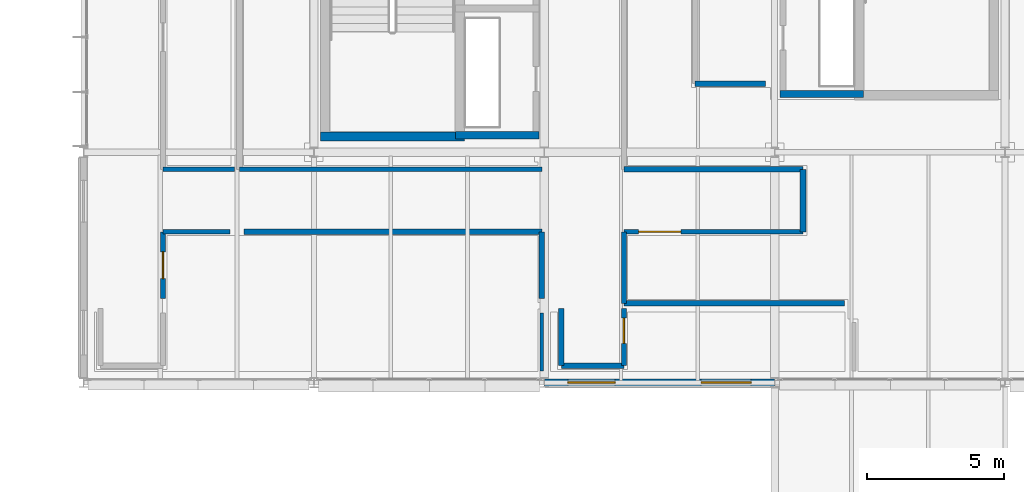
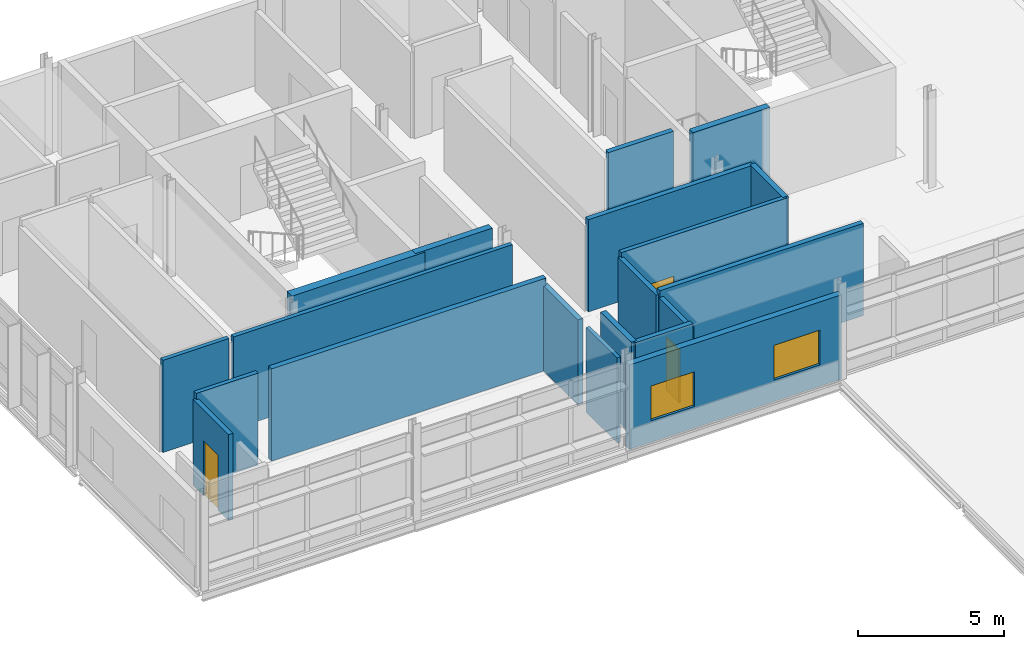
# One storey, part 46 of 57: 20 walls, 3 doors, 2 windows, 5 openings.
"""IFC4 building model written with IfcOpenShell, lengths in metres."""

from ifc_helpers import new_model, si_unit, direction, frame, frame_2d, origin, place, context, subcontext, project, spatial, rectangle, extrude, material, layer, layer_set, type_object, element, fill, save


model = new_model("IFC4")

# Units and contexts
model_context = context("Model", 3, precision=1e-05, world=origin(), true_north=direction((0.0, 1.0)))
body_context = subcontext(model_context, "Body", "Model", "MODEL_VIEW")
ifc_project = project(units=[si_unit("LENGTHUNIT", "METRE"), si_unit("AREAUNIT", "SQUARE_METRE"), si_unit("VOLUMEUNIT", "CUBIC_METRE"), si_unit("PLANEANGLEUNIT", "RADIAN"), si_unit("MASSUNIT", "GRAM", prefix="KILO")], contexts=[model_context])

# Site, building, storey
site_placement = place(None, origin())
site = spatial("IfcSite", under=ifc_project, at=site_placement, CompositionType="ELEMENT")
building_placement = place(site_placement, origin())
building = spatial("IfcBuilding", under=site, at=building_placement, Name="Mersafa Astral City Hall", CompositionType="ELEMENT")
storey_placement = place(building_placement, frame((0.0, 0.0, 26.10009765625)))
storey = spatial("IfcBuildingStorey", under=building, at=storey_placement, Name="L06", CompositionType="ELEMENT", Elevation=26.10009765625)

# Wall, openings, windows
ifc_material_1 = material(Name="Precast concrete C40/50 insulated terracotta spandrel", Category="masonry")
ifc_layer_1 = layer(ifc_material_1, 0.25, Name="Precast concrete C40/50 insulated terracotta spandrel")
ifc_layer_set_1 = layer_set([ifc_layer_1], Name="Precast concrete C40/50 insulated terracotta spandrel — ENV-WAL-EXT-250")
wall_type_1 = type_object("IfcWallType", Name="ENV-WAL-EXT-250", PredefinedType="STANDARD", material=ifc_layer_set_1)
wall_1_placement = place(storey_placement, frame((159.60791015625, 100.800048828125, 0.0), z_axis=(0.0, 0.0, 1.0), x_axis=(1.0, 0.0, 0.0)))
wall_1 = element("IfcWall", 1, at=wall_1_placement, inside=storey, type_object=wall_type_1, Name="L06 Limestone-clad exterior wall 364", PredefinedType="STANDARD", context=body_context, shape_type="SweptSolid", body=[
    extrude(rectangle(XDim=8.384033203125, YDim=0.25, at=frame_2d((4.19189453125, 0.0))), origin(), (0.0, 0.0, 1.0), 3.52685546875),
])
opening_1_placement = place(wall_1_placement, frame((0.85009765625, 0.0, 0.89990234375)))
opening_1 = element("IfcOpeningElement", 2, at=opening_1_placement, cuts=wall_1, Name="Opening W-28", PredefinedType="OPENING", context=body_context, shape_type="SweptSolid", body=[
    extrude(rectangle(XDim=1.719970703125, YDim=1.449951171875, at=frame_2d((0.85986328125, 0.72509765625))), frame((0.0, 0.135009765625, 0.0), z_axis=(0.0, -1.0, 0.0), x_axis=(1.0, 0.0, 0.0)), (0.0, 0.0, 1.0), 0.27001953125),
])
opening_2_placement = place(wall_1_placement, frame((5.714111328125, 0.0, 0.89990234375)))
opening_2 = element("IfcOpeningElement", 3, at=opening_2_placement, cuts=wall_1, Name="Opening W-29", PredefinedType="OPENING", context=body_context, shape_type="SweptSolid", body=[
    extrude(rectangle(XDim=1.820068359375, YDim=1.449951171875, at=frame_2d((0.91015625, 0.72509765625))), frame((0.0, 0.135009765625, 0.0), z_axis=(0.0, -1.0, 0.0), x_axis=(1.0, 0.0, 0.0)), (0.0, 0.0, 1.0), 0.27001953125),
])
ifc_material_2 = material(Name="Solar control low-e double glazing in bronze frame", Category="glass")
window_type_1 = type_object("IfcWindowType", Name="ENV-WIN-W-28", PartitioningType="SINGLE_PANEL", PredefinedType="WINDOW", material=ifc_material_2)
window_1_placement = place(opening_1_placement, origin())
window_1 = element("IfcWindow", 4, at=window_1_placement, inside=storey, type_object=window_type_1, Name="L06 Solar punched window 364-L", OverallHeight=1.449951171875, OverallWidth=1.719970703125, PartitioningType="SINGLE_PANEL", PredefinedType="WINDOW", context=body_context, shape_type="SweptSolid", body=[
    extrude(rectangle(XDim=1.719970703125, YDim=1.449951171875, at=frame_2d((0.85986328125, 0.72509765625))), frame((0.0, 0.030029296875, 0.0), z_axis=(0.0, -1.0, 0.0), x_axis=(1.0, 0.0, 0.0)), (0.0, 0.0, 1.0), 0.06005859375),
])
fill(opening_1, window_1)
window_type_2 = type_object("IfcWindowType", Name="ENV-WIN-W-29", PartitioningType="SINGLE_PANEL", PredefinedType="WINDOW", material=ifc_material_2)
window_2_placement = place(opening_2_placement, origin())
window_2 = element("IfcWindow", 5, at=window_2_placement, inside=storey, type_object=window_type_2, Name="L06 Solar punched window 364-R", OverallHeight=1.449951171875, OverallWidth=1.820068359375, PartitioningType="SINGLE_PANEL", PredefinedType="WINDOW", context=body_context, shape_type="SweptSolid", body=[
    extrude(rectangle(XDim=1.820068359375, YDim=1.449951171875, at=frame_2d((0.91015625, 0.72509765625))), frame((0.0, 0.030029296875, 0.0), z_axis=(0.0, -1.0, 0.0), x_axis=(1.0, 0.0, 0.0)), (0.0, 0.0, 1.0), 0.06005859375),
])
fill(opening_2, window_2)

# Walls
ifc_material_3 = material(Name="Concrete C40/50", Category="concrete")
ifc_layer_2 = layer(ifc_material_3, 0.260009765625, Name="Concrete C40/50")
ifc_layer_set_2 = layer_set([ifc_layer_2], Name="Concrete C40/50 — INT-WAL-CORE-260")
wall_type_2 = type_object("IfcWallType", Name="INT-WAL-CORE-260", PredefinedType="SHEAR", material=ifc_layer_set_2)
wall_2_placement = place(storey_placement, frame((156.364990234375, 109.820068359375, 0.0), z_axis=(0.0, 0.0, 1.0), x_axis=(1.0, 0.0, 0.0)))
element("IfcWall", 6, at=wall_2_placement, inside=storey, type_object=wall_type_2, Name="L06 Core K1 riser south wall", PredefinedType="SHEAR", context=body_context, shape_type="SweptSolid", body=[
    extrude(rectangle(XDim=3.034912109375, YDim=0.260009765625, at=frame_2d((1.517578125, 0.0))), origin(), (0.0, 0.0, 1.0), 3.849853515625),
])
wall_3_placement = place(storey_placement, frame((168.199951171875, 111.320068359375, 0.0), z_axis=(0.0, 0.0, 1.0), x_axis=(1.0, 0.0, 0.0)))
element("IfcWall", 7, at=wall_3_placement, inside=storey, type_object=wall_type_2, Name="L06 Core K2 riser south wall", PredefinedType="SHEAR", context=body_context, shape_type="SweptSolid", body=[
    extrude(rectangle(XDim=3.03515625, YDim=0.260009765625, at=frame_2d((1.517578125, 0.0))), origin(), (0.0, 0.0, 1.0), 3.849853515625),
])
ifc_layer_3 = layer(ifc_material_3, 0.340087890625, Name="Concrete C40/50")
ifc_layer_set_3 = layer_set([ifc_layer_3], Name="Concrete C40/50 — INT-WAL-CORE-340")
wall_type_3 = type_object("IfcWallType", Name="INT-WAL-CORE-340", PredefinedType="SHEAR", material=ifc_layer_set_3)
wall_4_placement = place(storey_placement, frame((151.43505859375, 109.77490234375, 0.0), z_axis=(0.0, 0.0, 1.0), x_axis=(1.0, 0.0, 0.0)))
element("IfcWall", 8, at=wall_4_placement, inside=storey, type_object=wall_type_3, Name="L06 Core K1 stair south shear wall", PredefinedType="SHEAR", context=body_context, shape_type="SweptSolid", body=[
    extrude(rectangle(XDim=5.25, YDim=0.340087890625, at=frame_2d((2.625, 0.0))), origin(), (0.0, 0.0, 1.0), 3.849853515625),
])
ifc_material_4 = material(Name="Acoustic steel-stud gypsum partition", Category="steel")
ifc_layer_4 = layer(ifc_material_4, 0.135009765625, Name="Acoustic steel-stud gypsum partition")
ifc_layer_set_4 = layer_set([ifc_layer_4], Name="Acoustic steel-stud gypsum partition — INT-WAL-PART-EI30-135")
wall_type_4 = type_object("IfcWallType", Name="INT-WAL-PART-EI30-135", PredefinedType="STANDARD", material=ifc_layer_set_4)
wall_5_placement = place(storey_placement, frame((159.510009765625, 103.340087890625, -0.004150390625), z_axis=(0.0, 0.0, 1.0), x_axis=(0.0, -1.0, 0.0)))
element("IfcWall", 9, at=wall_5_placement, inside=storey, type_object=wall_type_4, Name="L06 Interior partition wall 850", PredefinedType="STANDARD", context=body_context, shape_type="SweptSolid", body=[
    extrude(rectangle(XDim=2.1201171875, YDim=0.135009765625, at=frame_2d((1.06005859375, 0.0))), origin(), (0.0, 0.0, 1.0), 3.551025390625),
])

# Wall, opening, door
ifc_material_5 = material(Name="Fire-rated gypsum stud partition", Category="gypsum")
ifc_layer_5 = layer(ifc_material_5, 0.1650390625, Name="Fire-rated gypsum stud partition")
ifc_layer_set_5 = layer_set([ifc_layer_5], Name="Fire-rated gypsum stud partition — INT-WAL-PART-EI60-165")
wall_type_5 = type_object("IfcWallType", Name="INT-WAL-PART-EI60-165", PredefinedType="STANDARD", material=ifc_layer_set_5)
wall_6_placement = place(storey_placement, frame((162.5, 106.300048828125, -0.004150390625), z_axis=(0.0, 0.0, 1.0), x_axis=(1.0, 0.0, 0.0)))
wall_6 = element("IfcWall", 10, at=wall_6_placement, inside=storey, type_object=wall_type_5, Name="L06 Interior partition wall 807", PredefinedType="STANDARD", context=body_context, shape_type="SweptSolid", body=[
    extrude(rectangle(XDim=6.530029296875, YDim=0.1650390625, at=frame_2d((3.26513671875, 0.0))), origin(), (0.0, 0.0, 1.0), 3.85400390625),
])
opening_3_placement = place(wall_6_placement, frame((0.535888671875, 0.0, 0.0)))
opening_3 = element("IfcOpeningElement", 11, at=opening_3_placement, cuts=wall_6, Name="Opening D-17", PredefinedType="OPENING", context=body_context, shape_type="SweptSolid", body=[
    extrude(rectangle(XDim=1.5400390625, YDim=2.139892578125, at=frame_2d((0.77001953125, 1.06982421875))), frame((0.0, 0.092529296875, 0.0), z_axis=(0.0, -1.0, 0.0), x_axis=(1.0, 0.0, 0.0)), (0.0, 0.0, 1.0), 0.18505859375),
])
ifc_material_6 = material(Name="Cedar veneered acoustic fire-rated timber door", Category="wood")
door_type_1 = type_object("IfcDoorType", Name="INT-DR-RM-D-17", OperationType="NOTDEFINED", PredefinedType="DOOR", material=ifc_material_6)
door_1_placement = place(opening_3_placement, origin())
door_1 = element("IfcDoor", 12, at=door_1_placement, inside=storey, type_object=door_type_1, Name="L06 Ceremonial Conference Room L06-02 Entrance Door", OperationType="SINGLE_SWING_LEFT", OverallHeight=2.139892578125, OverallWidth=1.5400390625, PredefinedType="DOOR", context=body_context, shape_type="SweptSolid", body=[
    extrude(rectangle(XDim=1.5400390625, YDim=2.139892578125, at=frame_2d((0.77001953125, 1.06982421875))), frame((0.0, 0.02490234375, 0.0), z_axis=(0.0, -1.0, 0.0), x_axis=(1.0, 0.0, 0.0)), (0.0, 0.0, 1.0), 0.050048828125),
])
fill(opening_3, door_1)

# Walls
wall_7_placement = place(storey_placement, frame((159.510009765625, 108.580078125, -0.004150390625), z_axis=(0.0, 0.0, 1.0), x_axis=(-1.0, 0.0, 0.0)))
element("IfcWall", 13, at=wall_7_placement, inside=storey, type_object=wall_type_5, Name="L06 Interior partition wall 839", PredefinedType="STANDARD", context=body_context, shape_type="SweptSolid", body=[
    extrude(rectangle(XDim=11.02001953125, YDim=0.1650390625, at=frame_2d((5.510009765625, 0.0))), origin(), (0.0, 0.0, 1.0), 3.85400390625),
])
wall_8_placement = place(storey_placement, frame((145.699951171875, 106.300048828125, -0.004150390625), z_axis=(0.0, 0.0, 1.0), x_axis=(1.0, 0.0, 0.0)))
element("IfcWall", 14, at=wall_8_placement, inside=storey, type_object=wall_type_5, Name="L06 Interior partition wall 847", PredefinedType="STANDARD", context=body_context, shape_type="SweptSolid", body=[
    extrude(rectangle(XDim=2.43994140625, YDim=0.1650390625, at=frame_2d((1.219970703125, 0.0))), origin(), (0.0, 0.0, 1.0), 3.85400390625),
])
wall_9_placement = place(storey_placement, frame((148.31005859375, 108.580078125, -0.004150390625), z_axis=(0.0, 0.0, 1.0), x_axis=(-1.0, 0.0, 0.0)))
element("IfcWall", 15, at=wall_9_placement, inside=storey, type_object=wall_type_5, Name="L06 Interior partition wall 855", PredefinedType="STANDARD", context=body_context, shape_type="SweptSolid", body=[
    extrude(rectangle(XDim=2.610107421875, YDim=0.1650390625, at=frame_2d((1.30517578125, 0.0))), origin(), (0.0, 0.0, 1.0), 3.85400390625),
])
ifc_material_7 = material(Name="Acoustic twin-stud gypsum partition", Category="gypsum")
ifc_layer_6 = layer(ifc_material_7, 0.179931640625, Name="Acoustic twin-stud gypsum partition")
ifc_layer_set_6 = layer_set([ifc_layer_6], Name="Acoustic twin-stud gypsum partition — INT-WAL-PART-EI60-180")
wall_type_6 = type_object("IfcWallType", Name="INT-WAL-PART-EI60-180", PredefinedType="STANDARD", material=ifc_layer_set_6)
wall_10_placement = place(storey_placement, frame((162.5, 103.68994140625, -0.004150390625), z_axis=(0.0, 0.0, 1.0), x_axis=(0.0, 1.0, 0.0)))
element("IfcWall", 16, at=wall_10_placement, inside=storey, type_object=wall_type_6, Name="L06 Interior partition wall 806", PredefinedType="STANDARD", context=body_context, shape_type="SweptSolid", body=[
    extrude(rectangle(XDim=2.610107421875, YDim=0.179931640625, at=frame_2d((1.30517578125, 0.0))), origin(), (0.0, 0.0, 1.0), 3.64111328125),
])

# Wall, opening, door
wall_11_placement = place(storey_placement, frame((145.699951171875, 103.860107421875, -0.004150390625), z_axis=(0.0, 0.0, 1.0), x_axis=(0.0, 1.0, 0.0)))
wall_11 = element("IfcWall", 17, at=wall_11_placement, inside=storey, type_object=wall_type_6, Name="L06 Interior partition wall 846", PredefinedType="STANDARD", context=body_context, shape_type="SweptSolid", body=[
    extrude(rectangle(XDim=2.43994140625, YDim=0.179931640625, at=frame_2d((1.219970703125, 0.0))), origin(), (0.0, 0.0, 1.0), 3.591064453125),
])
opening_4_placement = place(wall_11_placement, frame((0.72998046875, 0.0, 0.0)))
opening_4 = element("IfcOpeningElement", 18, at=opening_4_placement, cuts=wall_11, Name="Opening D-29", PredefinedType="OPENING", context=body_context, shape_type="SweptSolid", body=[
    extrude(rectangle(XDim=0.97998046875, YDim=2.300048828125, at=frame_2d((0.489990234375, 1.14990234375))), frame((0.0, 0.099853515625, 0.0), z_axis=(0.0, -1.0, 0.0), x_axis=(1.0, 0.0, 0.0)), (0.0, 0.0, 1.0), 0.199951171875),
])
door_type_2 = type_object("IfcDoorType", Name="INT-DR-RM-D-29", OperationType="NOTDEFINED", PredefinedType="DOOR", material=ifc_material_6)
door_2_placement = place(opening_4_placement, origin())
door_2 = element("IfcDoor", 19, at=door_2_placement, inside=storey, type_object=door_type_2, Name="L06 Public Restroom L06-14 Entrance Door", OperationType="SINGLE_SWING_LEFT", OverallHeight=2.300048828125, OverallWidth=0.97998046875, PredefinedType="DOOR", context=body_context, shape_type="SweptSolid", body=[
    extrude(rectangle(XDim=0.97998046875, YDim=2.300048828125, at=frame_2d((0.489990234375, 1.14990234375))), frame((0.0, 0.02490234375, 0.0), z_axis=(0.0, -1.0, 0.0), x_axis=(1.0, 0.0, 0.0)), (0.0, 0.0, 1.0), 0.050048828125),
])
fill(opening_4, door_2)

wall_12_placement = place(storey_placement, frame((162.5, 101.419921875, -0.004150390625), z_axis=(0.0, 0.0, 1.0), x_axis=(0.0, 1.0, 0.0)))
wall_12 = element("IfcWall", 20, at=wall_12_placement, inside=storey, type_object=wall_type_6, Name="L06 Interior partition wall 858", PredefinedType="STANDARD", context=body_context, shape_type="SweptSolid", body=[
    extrude(rectangle(XDim=2.090087890625, YDim=0.179931640625, at=frame_2d((1.044921875, 0.0))), origin(), (0.0, 0.0, 1.0), 3.64111328125),
])
opening_5_placement = place(wall_12_placement, frame((0.81005859375, 0.0, 0.0)))
opening_5 = element("IfcOpeningElement", 21, at=opening_5_placement, cuts=wall_12, Name="Opening D-19", PredefinedType="OPENING", context=body_context, shape_type="SweptSolid", body=[
    extrude(rectangle(XDim=0.919921875, YDim=2.219970703125, at=frame_2d((0.4599609375, 1.10986328125))), frame((0.0, 0.099853515625, 0.0), z_axis=(0.0, -1.0, 0.0), x_axis=(1.0, 0.0, 0.0)), (0.0, 0.0, 1.0), 0.199951171875),
])
door_type_3 = type_object("IfcDoorType", Name="INT-DR-RM-D-19", OperationType="NOTDEFINED", PredefinedType="DOOR", material=ifc_material_6)
door_3_placement = place(opening_5_placement, origin())
door_3 = element("IfcDoor", 22, at=door_3_placement, inside=storey, type_object=door_type_3, Name="L06 Ceremonial Conference Room L06-16 Entrance Door", OperationType="SINGLE_SWING_LEFT", OverallHeight=2.219970703125, OverallWidth=0.919921875, PredefinedType="DOOR", context=body_context, shape_type="SweptSolid", body=[
    extrude(rectangle(XDim=0.919921875, YDim=2.219970703125, at=frame_2d((0.4599609375, 1.10986328125))), frame((0.0, 0.02490234375, 0.0), z_axis=(0.0, -1.0, 0.0), x_axis=(1.0, 0.0, 0.0)), (0.0, 0.0, 1.0), 0.050048828125),
])
fill(opening_5, door_3)

# Walls
ifc_layer_7 = layer(ifc_material_7, 0.195068359375, Name="Acoustic twin-stud gypsum partition")
ifc_layer_set_7 = layer_set([ifc_layer_7], Name="Acoustic twin-stud gypsum partition — INT-WAL-PART-EI60-195")
wall_type_7 = type_object("IfcWallType", Name="INT-WAL-PART-EI60-195", PredefinedType="STANDARD", material=ifc_layer_set_7)
wall_13_placement = place(storey_placement, frame((170.5400390625, 103.68994140625, -0.004150390625), z_axis=(0.0, 0.0, 1.0), x_axis=(-1.0, 0.0, 0.0)))
element("IfcWall", 23, at=wall_13_placement, inside=storey, type_object=wall_type_7, Name="L06 Interior partition wall 805", PredefinedType="STANDARD", context=body_context, shape_type="SweptSolid", body=[
    extrude(rectangle(XDim=8.0400390625, YDim=0.195068359375, at=frame_2d((4.02001953125, 0.0))), origin(), (0.0, 0.0, 1.0), 3.85400390625),
])
wall_14_placement = place(storey_placement, frame((169.030029296875, 108.580078125, -0.004150390625), z_axis=(0.0, 0.0, 1.0), x_axis=(-1.0, 0.0, 0.0)))
element("IfcWall", 24, at=wall_14_placement, inside=storey, type_object=wall_type_7, Name="L06 Interior partition wall 809", PredefinedType="STANDARD", context=body_context, shape_type="SweptSolid", body=[
    extrude(rectangle(XDim=6.530029296875, YDim=0.195068359375, at=frame_2d((3.26513671875, 0.0))), origin(), (0.0, 0.0, 1.0), 3.85400390625),
])
wall_15_placement = place(storey_placement, frame((165.10009765625, 111.699951171875, -0.004150390625), z_axis=(0.0, 0.0, 1.0), x_axis=(1.0, 0.0, 0.0)))
element("IfcWall", 25, at=wall_15_placement, inside=storey, type_object=wall_type_7, Name="L06 Interior partition wall 813", PredefinedType="STANDARD", context=body_context, shape_type="SweptSolid", body=[
    extrude(rectangle(XDim=2.559814453125, YDim=0.195068359375, at=frame_2d((1.27978515625, 0.0))), origin(), (0.0, 0.0, 1.0), 3.85400390625),
])
wall_16_placement = place(storey_placement, frame((159.510009765625, 106.300048828125, -0.004150390625), z_axis=(0.0, 0.0, 1.0), x_axis=(0.0, -1.0, 0.0)))
element("IfcWall", 26, at=wall_16_placement, inside=storey, type_object=wall_type_7, Name="L06 Interior partition wall 849", PredefinedType="STANDARD", context=body_context, shape_type="SweptSolid", body=[
    extrude(rectangle(XDim=2.43994140625, YDim=0.195068359375, at=frame_2d((1.219970703125, 0.0))), origin(), (0.0, 0.0, 1.0), 3.551025390625),
])
wall_17_placement = place(storey_placement, frame((160.219970703125, 101.419921875, -0.004150390625), z_axis=(0.0, 0.0, 1.0), x_axis=(1.0, 0.0, 0.0)))
element("IfcWall", 27, at=wall_17_placement, inside=storey, type_object=wall_type_7, Name="L06 Interior partition wall 857", PredefinedType="STANDARD", context=body_context, shape_type="SweptSolid", body=[
    extrude(rectangle(XDim=2.280029296875, YDim=0.195068359375, at=frame_2d((1.14013671875, 0.0))), origin(), (0.0, 0.0, 1.0), 3.85400390625),
])
ifc_material_8 = material(Name="Autoclaved aerated concrete blockwork plastered", Category="masonry")
ifc_layer_8 = layer(ifc_material_8, 0.2099609375, Name="Autoclaved aerated concrete blockwork plastered")
ifc_layer_set_8 = layer_set([ifc_layer_8], Name="Autoclaved aerated concrete blockwork plastered — INT-WAL-PART-EI60-210")
wall_type_8 = type_object("IfcWallType", Name="INT-WAL-PART-EI60-210", PredefinedType="STANDARD", material=ifc_layer_set_8)
wall_18_placement = place(storey_placement, frame((169.030029296875, 106.300048828125, -0.004150390625), z_axis=(0.0, 0.0, 1.0), x_axis=(0.0, 1.0, 0.0)))
element("IfcWall", 28, at=wall_18_placement, inside=storey, type_object=wall_type_8, Name="L06 Interior partition wall 808", PredefinedType="STANDARD", context=body_context, shape_type="SweptSolid", body=[
    extrude(rectangle(XDim=2.280029296875, YDim=0.2099609375, at=frame_2d((1.14013671875, 0.0))), origin(), (0.0, 0.0, 1.0), 3.85400390625),
])
wall_19_placement = place(storey_placement, frame((148.659912109375, 106.300048828125, -0.004150390625), z_axis=(0.0, 0.0, 1.0), x_axis=(1.0, 0.0, 0.0)))
element("IfcWall", 29, at=wall_19_placement, inside=storey, type_object=wall_type_8, Name="L06 Interior partition wall 848", PredefinedType="STANDARD", context=body_context, shape_type="SweptSolid", body=[
    extrude(rectangle(XDim=10.85009765625, YDim=0.2099609375, at=frame_2d((5.425048828125, 0.0))), origin(), (0.0, 0.0, 1.0), 3.85400390625),
])
wall_20_placement = place(storey_placement, frame((160.219970703125, 103.510009765625, -0.004150390625), z_axis=(0.0, 0.0, 1.0), x_axis=(0.0, -1.0, 0.0)))
element("IfcWall", 30, at=wall_20_placement, inside=storey, type_object=wall_type_8, Name="L06 Interior partition wall 856", PredefinedType="STANDARD", context=body_context, shape_type="SweptSolid", body=[
    extrude(rectangle(XDim=2.090087890625, YDim=0.2099609375, at=frame_2d((1.044921875, 0.0))), origin(), (0.0, 0.0, 1.0), 3.85400390625),
])

save(model, "model.ifc")
